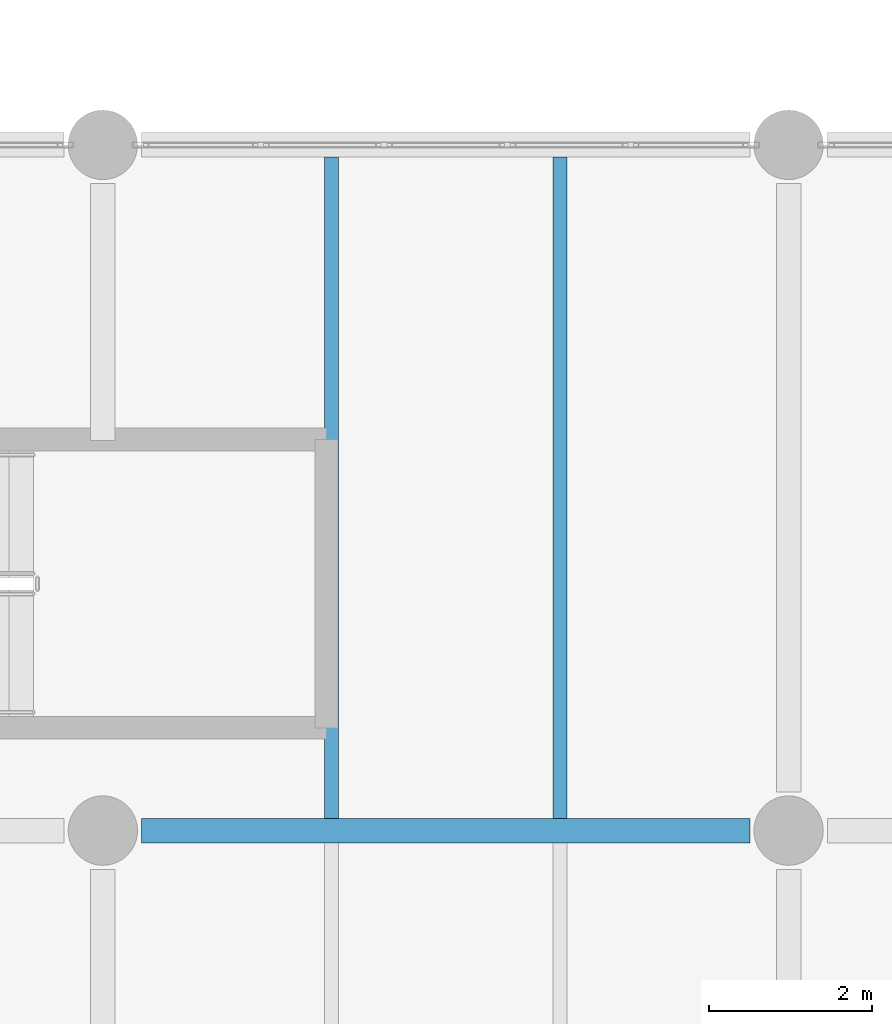
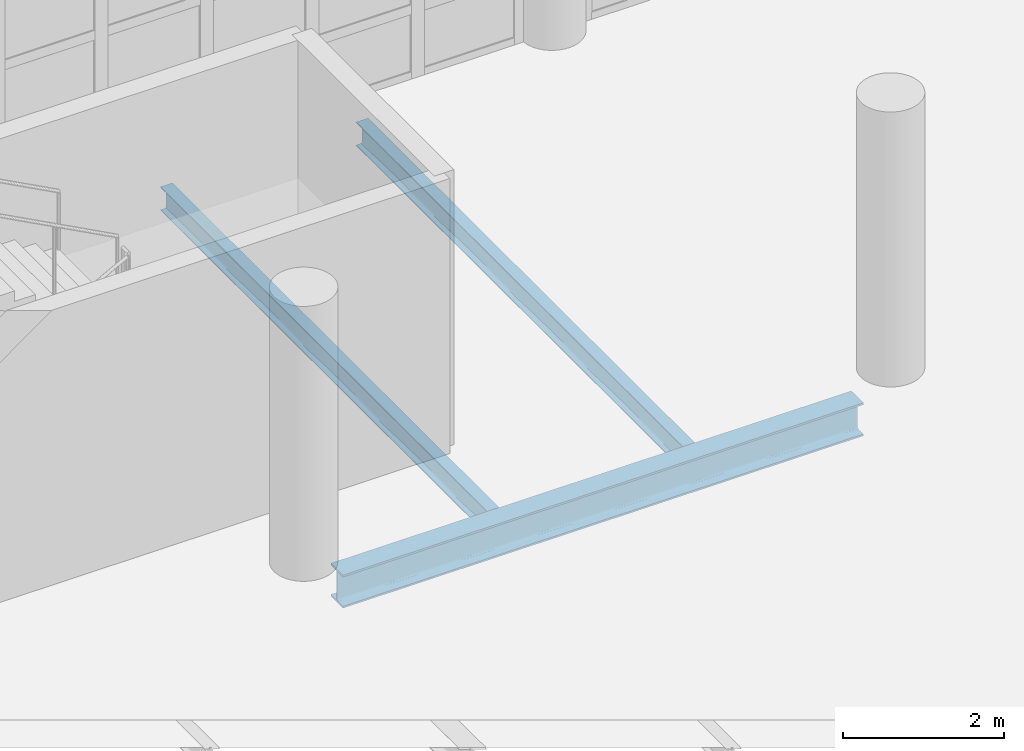
# One storey, part 71 of 177: 3 beams.
"""IFC4 building model written with IfcOpenShell, lengths in metres."""

from ifc_helpers import new_model, si_unit, direction, frame, origin, origin_2d, place, context, subcontext, project, spatial, i_section, extrude, material, material_profile, profile_set, type_object, element, save


model = new_model("IFC4")

# Units and contexts
model_context = context("Model", 3, precision=1e-05, world=origin(), true_north=direction((0.0, 1.0)))
body_context = subcontext(model_context, "Body", "Model", "MODEL_VIEW")
ifc_project = project(units=[si_unit("LENGTHUNIT", "METRE"), si_unit("AREAUNIT", "SQUARE_METRE"), si_unit("VOLUMEUNIT", "CUBIC_METRE"), si_unit("PLANEANGLEUNIT", "RADIAN"), si_unit("MASSUNIT", "GRAM", prefix="KILO"), si_unit("THERMODYNAMICTEMPERATUREUNIT", "KELVIN"), si_unit("POWERUNIT", "WATT")], contexts=[model_context])

# Site, building, storey
site_placement = place(None, origin())
site = spatial("IfcSite", under=ifc_project, at=site_placement, CompositionType="ELEMENT")
building_placement = place(site_placement, origin())
building = spatial("IfcBuilding", under=site, at=building_placement, Name="Mavoryth Pier Ferry Terminal", CompositionType="ELEMENT")
storey_placement = place(building_placement, frame((0.0, 0.0, 5.43994140625)))
storey = spatial("IfcBuildingStorey", under=building, at=storey_placement, Name="L01", CompositionType="ELEMENT", Elevation=5.43994140625)

# Beams
ifc_material = material(Name="Steel S355J2", Category="steel")
ifc_material_profile_1 = material_profile(ifc_material, i_section(OverallWidth=0.300048828125, OverallDepth=0.5, WebThickness=0.014404296875, FlangeThickness=0.028076171875, FilletRadius=0.027099609375, at=origin_2d()), Name="HEB 500", Category="steel")
ifc_profile_set_1 = profile_set([ifc_material_profile_1], Name="Steel S355J2 - HEB 500")
beam_type_1 = type_object("IfcBeamType", Name="Beam-Steel-HEB500", PredefinedType="BEAM", material=ifc_profile_set_1)
beam_placement = place(storey_placement, frame((8.875, 97.60009765625, -0.530029296875), z_axis=(1.0, 0.0, 0.0), x_axis=(0.0, 1.0, 0.0)))
element("IfcBeam", 1, at=beam_placement, inside=storey, type_object=beam_type_1, Name="Beam B01-SB01-0071", PredefinedType="BEAM", context=body_context, shape_type="SweptSolid", body=[
    extrude(i_section(OverallWidth=0.300048828125, OverallDepth=0.5, WebThickness=0.014404296875, FlangeThickness=0.028076171875, FilletRadius=0.027099609375, at=origin_2d()), origin(), (0.0, 0.0, 1.0), 7.449951171875),
])
ifc_material_profile_2 = material_profile(ifc_material, i_section(OverallWidth=0.169921875, OverallDepth=0.360107421875, WebThickness=0.008056640625, FlangeThickness=0.0126953125, FilletRadius=0.01806640625, at=origin_2d()), Name="IPE 360", Category="steel")
ifc_profile_set_2 = profile_set([ifc_material_profile_2], Name="Steel S355J2 - IPE 360")
beam_type_2 = type_object("IfcBeamType", Name="Joist-Steel-IPE360", PredefinedType="JOIST", material=ifc_profile_set_2)
for number, where, z_axis, x_axis, name in (
    (2, (11.199951171875, 97.75, -0.4599609375), (0.0, 1.0, 0.0), (-1.0, 0.0, 0.0), "Beam B01-SJ02-0127"),
    (3, (14.0, 97.75, -0.4599609375), (0.0, 1.0, 0.0), (-1.0, 0.0, 0.0), "Beam B01-SJ02-0128"),
):
    element("IfcBeam", number, at=place(storey_placement, frame(where, z_axis=z_axis, x_axis=x_axis)), inside=storey, type_object=beam_type_2, Name=name, PredefinedType="JOIST", context=body_context, shape_type="SweptSolid", body=[
        extrude(i_section(OverallWidth=0.169921875, OverallDepth=0.360107421875, WebThickness=0.008056640625, FlangeThickness=0.0126953125, FilletRadius=0.01806640625, at=origin_2d()), origin(), (0.0, 0.0, 1.0), 8.10009765625),
    ])

save(model, "model.ifc")
